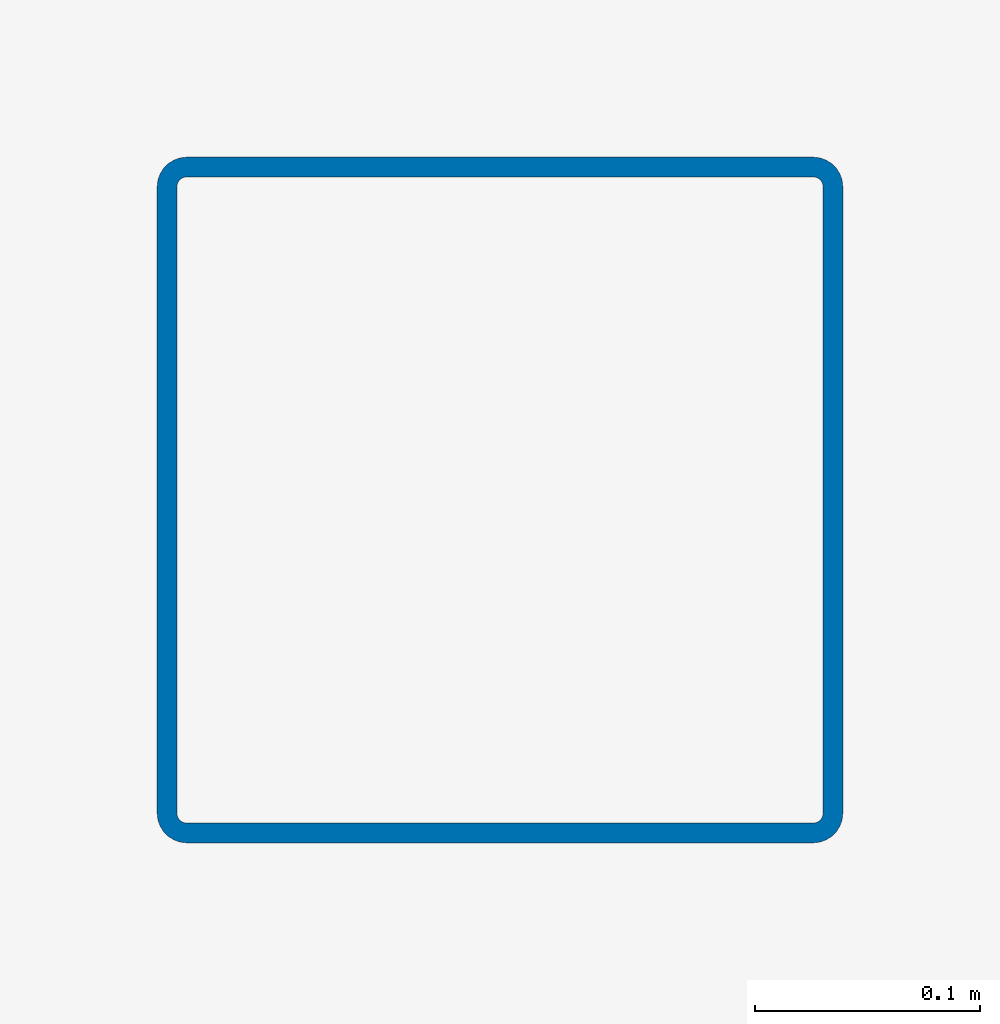
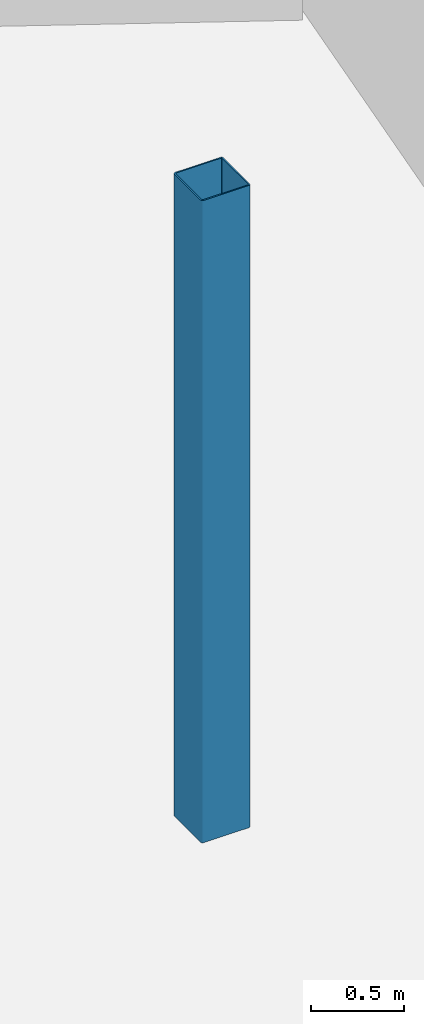
# One storey, part 2 of 13: 1 column.
"""IFC4 building model written with IfcOpenShell, lengths in metres."""

from ifc_helpers import new_model, si_unit, direction, frame, origin, origin_2d, place, context, subcontext, project, spatial, hollow_rectangle, extrude, material, material_profile, profile_set, type_object, element, save


model = new_model("IFC4")

# Units and contexts
model_context = context("Model", 3, precision=1e-05, world=origin(), true_north=direction((0.0, 1.0)))
body_context = subcontext(model_context, "Body", "Model", "MODEL_VIEW")
ifc_project = project(units=[si_unit("LENGTHUNIT", "METRE"), si_unit("AREAUNIT", "SQUARE_METRE"), si_unit("VOLUMEUNIT", "CUBIC_METRE"), si_unit("PLANEANGLEUNIT", "RADIAN"), si_unit("MASSUNIT", "GRAM", prefix="KILO")], contexts=[model_context])

# Site, building, storey
site_placement = place(None, origin())
site = spatial("IfcSite", under=ifc_project, at=site_placement, CompositionType="ELEMENT")
building_placement = place(site_placement, origin())
building = spatial("IfcBuilding", under=site, at=building_placement, Name="Cormorant Relay Tower", CompositionType="ELEMENT")
storey_placement = place(building_placement, frame((0.0, 0.0, 353.39990234375)))
storey = spatial("IfcBuildingStorey", under=building, at=storey_placement, Name="C7", CompositionType="ELEMENT", Elevation=353.39990234375)

# Column
ifc_material = material(Name="Steel ASTM A500 Grade C (Fy 345 MPa)", Category="steel")
ifc_material_profile = material_profile(ifc_material, hollow_rectangle(XDim=0.3046875, YDim=0.3046875, WallThickness=0.0087890625, InnerFilletRadius=0.00439453125, OuterFilletRadius=0.01318359375, at=origin_2d()), Name="HSS305x305x9")
ifc_profile_set = profile_set([ifc_material_profile], Name="Steel ASTM A500 Grade C (Fy 345 MPa)")
column_type = type_object("IfcColumnType", Name="Column HSS305x305x9", PredefinedType="COLUMN", material=ifc_profile_set)
column_placement = place(storey_placement, frame((-10.5, 10.5, 0.0), z_axis=(0.0, 0.0, 1.0), x_axis=(1.0, 0.0, 0.0)))
element("IfcColumn", 1, at=column_placement, inside=storey, type_object=column_type, Name="Column C7-001", PredefinedType="COLUMN", context=body_context, shape_type="SweptSolid", body=[
    extrude(hollow_rectangle(XDim=0.3046875, YDim=0.3046875, WallThickness=0.0087890625, InnerFilletRadius=0.00439453125, OuterFilletRadius=0.01318359375, at=origin_2d()), origin(), (0.0, 0.0, 1.0), 4.2001953125),
])

save(model, "model.ifc")
